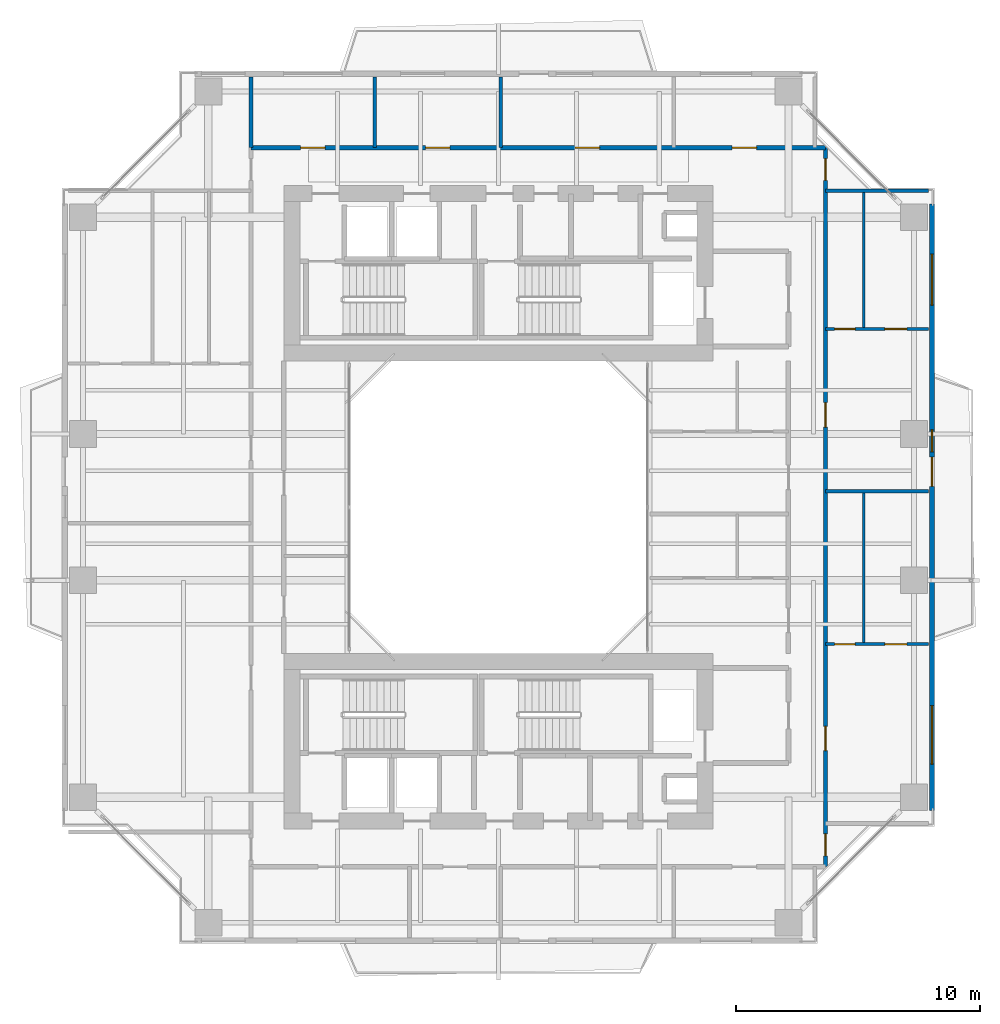
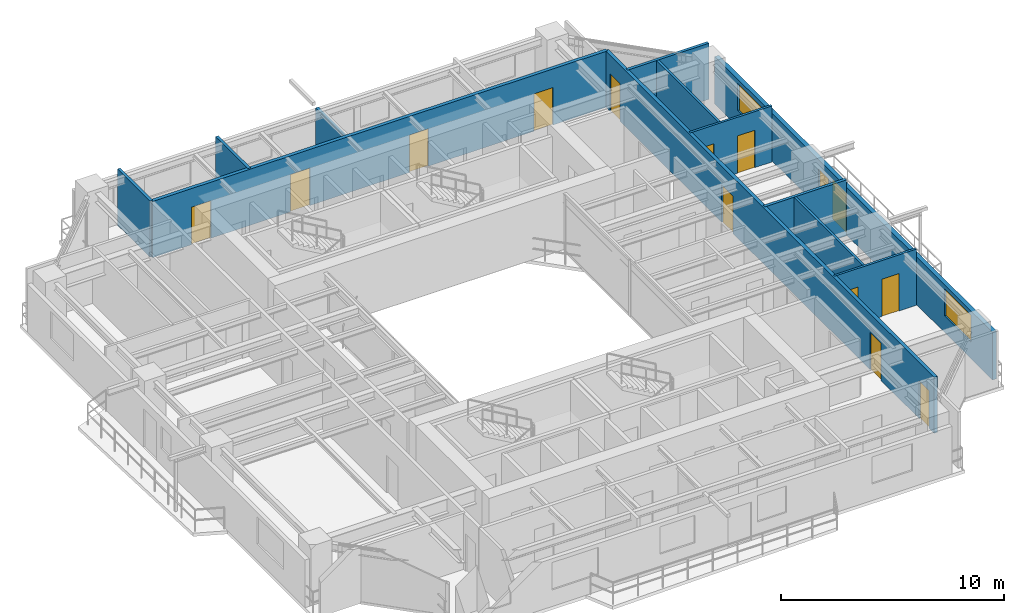
# One storey, part 13 of 17: 13 doors, 12 walls, 3 windows, 16 openings.
"""IFC4 building model written with IfcOpenShell, lengths in metres."""

from ifc_helpers import new_model, si_unit, direction, frame, frame_2d, origin, place, context, subcontext, project, spatial, rectangle, extrude, source, transform, mapped, material, layer, layer_set, type_object, element, fill, save


model = new_model("IFC4")

# Units and contexts
model_context = context("Model", 3, precision=1e-05, world=origin(), true_north=direction((0.0, 1.0)))
body_context = subcontext(model_context, "Body", "Model", "MODEL_VIEW")
ifc_project = project(units=[si_unit("LENGTHUNIT", "METRE"), si_unit("AREAUNIT", "SQUARE_METRE"), si_unit("VOLUMEUNIT", "CUBIC_METRE"), si_unit("PLANEANGLEUNIT", "RADIAN"), si_unit("MASSUNIT", "GRAM", prefix="KILO"), si_unit("THERMODYNAMICTEMPERATUREUNIT", "KELVIN"), si_unit("POWERUNIT", "WATT")], contexts=[model_context])

# Site, building, storey
site_placement = place(None, origin())
site = spatial("IfcSite", under=ifc_project, at=site_placement, CompositionType="ELEMENT")
building_placement = place(site_placement, origin())
building = spatial("IfcBuilding", under=site, at=building_placement, Name="Qiaomeng Ring Towers", CompositionType="ELEMENT")
storey_placement = place(building_placement, frame((0.0, 0.0, 119.75)))
storey = spatial("IfcBuildingStorey", under=building, at=storey_placement, Name="L34", CompositionType="ELEMENT", Elevation=119.75)

# Wall, openings, windows, door
ifc_material_1 = material(Name="Precast concrete C40", Category="concrete")
ifc_layer_1 = layer(ifc_material_1, 0.219970703125, Name="Precast concrete C40")
ifc_layer_set_1 = layer_set([ifc_layer_1], Name="Precast concrete C40")
wall_type_1 = type_object("IfcWallType", Name="ARC-WL-EW2", PredefinedType="STANDARD", material=ifc_layer_set_1)
wall_1_placement = place(storey_placement, frame((36.7900390625, 10.550048828125, 0.0), z_axis=(0.0, 0.0, 1.0), x_axis=(0.0, 1.0, 0.0)))
wall_1 = element("IfcWall", 1, at=wall_1_placement, inside=storey, type_object=wall_type_1, Name="L34 Tower 1 E Exterior Wall", PredefinedType="STANDARD", context=body_context, shape_type="SweptSolid", body=[
    extrude(rectangle(XDim=24.89990234375, YDim=0.219970703125, at=frame_2d((12.449951171875, 0.0))), origin(), (0.0, 0.0, 1.0), 2.610107421875),
])
opening_1_placement = place(wall_1_placement, frame((13.300048828125, 0.0, 0.0)))
opening_1 = element("IfcOpeningElement", 2, at=opening_1_placement, cuts=wall_1, Name="Opening BD1", PredefinedType="OPENING", context=body_context, shape_type="SweptSolid", body=[
    extrude(rectangle(XDim=1.199951171875, YDim=2.10009765625, at=frame_2d((0.60009765625, 1.050048828125))), frame((0.0, 0.119873046875, 0.0), z_axis=(0.0, -1.0, 0.0), x_axis=(1.0, 0.0, 0.0)), (0.0, 0.0, 1.0), 0.239990234375),
])
opening_2_placement = place(wall_1_placement, frame((1.912109375, 0.0, 0.89990234375)))
opening_2 = element("IfcOpeningElement", 3, at=opening_2_placement, cuts=wall_1, Name="Opening WN6", PredefinedType="OPENING", context=body_context, shape_type="SweptSolid", body=[
    extrude(rectangle(XDim=2.39990234375, YDim=1.47998046875, at=frame_2d((1.199951171875, 0.739990234375))), frame((0.0, 0.119873046875, 0.0), z_axis=(0.0, -1.0, 0.0), x_axis=(1.0, 0.0, 0.0)), (0.0, 0.0, 1.0), 0.239990234375),
])
opening_3_placement = place(wall_1_placement, frame((20.737060546875, 0.0, 0.89990234375)))
opening_3 = element("IfcOpeningElement", 4, at=opening_3_placement, cuts=wall_1, Name="Opening WN4", PredefinedType="OPENING", context=body_context, shape_type="SweptSolid", body=[
    extrude(rectangle(XDim=2.10009765625, YDim=1.47998046875, at=frame_2d((1.050048828125, 0.739990234375))), frame((0.0, 0.119873046875, 0.0), z_axis=(0.0, -1.0, 0.0), x_axis=(1.0, 0.0, 0.0)), (0.0, 0.0, 1.0), 0.239990234375),
])
opening_4_placement = place(wall_1_placement, frame((14.719970703125, 0.0, 0.89990234375)))
opening_4 = element("IfcOpeningElement", 5, at=opening_4_placement, cuts=wall_1, Name="Opening WN5", PredefinedType="OPENING", context=body_context, shape_type="SweptSolid", body=[
    extrude(rectangle(XDim=0.89990234375, YDim=1.199951171875, at=frame_2d((0.449951171875, 0.60009765625))), frame((0.0, 0.119873046875, 0.0), z_axis=(0.0, -1.0, 0.0), x_axis=(1.0, 0.0, 0.0)), (0.0, 0.0, 1.0), 0.239990234375),
])
ifc_material_2 = material(Name="Low-E dark-grey laminated double glazing", Category="glass")
window_type_1 = type_object("IfcWindowType", Name="ARC-WN-4", PartitioningType="TRIPLE_PANEL_VERTICAL", PredefinedType="WINDOW", material=ifc_material_2)
shared_shape_1 = source(origin(), body_context, "Body", "SweptSolid", [
    extrude(rectangle(XDim=2.10009765625, YDim=1.47998046875, at=frame_2d((1.050048828125, 0.739990234375))), frame((0.0, 0.030029296875, 0.0), z_axis=(0.0, -1.0, 0.0), x_axis=(1.0, 0.0, 0.0)), (0.0, 0.0, 1.0), 0.06005859375),
])
window_1_placement = place(opening_3_placement, origin())
window_1 = element("IfcWindow", 6, at=window_1_placement, inside=storey, type_object=window_type_1, Name="L34 Exterior Window WN4", OverallHeight=1.47998046875, OverallWidth=2.10009765625, PartitioningType="TRIPLE_PANEL_VERTICAL", PredefinedType="WINDOW", context=body_context, shape_type="MappedRepresentation", body=[
    mapped(shared_shape_1, transform((0.0, 0.0, 0.0), x_axis=(1.0, 0.0, 0.0), y_axis=(0.0, 1.0, 0.0), z_axis=(0.0, 0.0, 1.0), scale=1.0)),
])
fill(opening_3, window_1)
window_type_2 = type_object("IfcWindowType", Name="ARC-WN-6", PartitioningType="TRIPLE_PANEL_VERTICAL", PredefinedType="WINDOW", material=ifc_material_2)
shared_shape_2 = source(origin(), body_context, "Body", "SweptSolid", [
    extrude(rectangle(XDim=2.39990234375, YDim=1.47998046875, at=frame_2d((1.199951171875, 0.739990234375))), frame((0.0, 0.030029296875, 0.0), z_axis=(0.0, -1.0, 0.0), x_axis=(1.0, 0.0, 0.0)), (0.0, 0.0, 1.0), 0.06005859375),
])
window_2_placement = place(opening_2_placement, origin())
window_2 = element("IfcWindow", 7, at=window_2_placement, inside=storey, type_object=window_type_2, Name="L34 Exterior Window WN6", OverallHeight=1.47998046875, OverallWidth=2.39990234375, PartitioningType="TRIPLE_PANEL_VERTICAL", PredefinedType="WINDOW", context=body_context, shape_type="MappedRepresentation", body=[
    mapped(shared_shape_2, transform((0.0, 0.0, 0.0), x_axis=(1.0, 0.0, 0.0), y_axis=(0.0, 1.0, 0.0), z_axis=(0.0, 0.0, 1.0), scale=1.0)),
])
fill(opening_2, window_2)
door_type_1 = type_object("IfcDoorType", Name="ARC-DR-BD1", OperationType="NOTDEFINED", PredefinedType="DOOR", material=ifc_material_2)
shared_shape_3 = source(origin(), body_context, "Body", "SweptSolid", [
    extrude(rectangle(XDim=1.199951171875, YDim=2.10009765625, at=frame_2d((0.60009765625, 1.050048828125))), frame((0.0, 0.02490234375, 0.0), z_axis=(0.0, -1.0, 0.0), x_axis=(1.0, 0.0, 0.0)), (0.0, 0.0, 1.0), 0.050048828125),
])
door_1_placement = place(opening_1_placement, origin())
door_1 = element("IfcDoor", 8, at=door_1_placement, inside=storey, type_object=door_type_1, Name="L34 E Balcony Glazed Door", OperationType="SINGLE_SWING_LEFT", OverallHeight=2.10009765625, OverallWidth=1.199951171875, PredefinedType="DOOR", context=body_context, shape_type="MappedRepresentation", body=[
    mapped(shared_shape_3, transform((0.0, 0.0, 0.0), x_axis=(1.0, 0.0, 0.0), y_axis=(0.0, 1.0, 0.0), z_axis=(0.0, 0.0, 1.0), scale=1.0)),
])
fill(opening_1, door_1)
window_type_3 = type_object("IfcWindowType", Name="ARC-WN-5", PartitioningType="SINGLE_PANEL", PredefinedType="WINDOW", material=ifc_material_2)
shared_shape_4 = source(origin(), body_context, "Body", "SweptSolid", [
    extrude(rectangle(XDim=0.89990234375, YDim=1.199951171875, at=frame_2d((0.449951171875, 0.60009765625))), frame((0.0, 0.030029296875, 0.0), z_axis=(0.0, -1.0, 0.0), x_axis=(1.0, 0.0, 0.0)), (0.0, 0.0, 1.0), 0.06005859375),
])
window_3_placement = place(opening_4_placement, origin())
window_3 = element("IfcWindow", 9, at=window_3_placement, inside=storey, type_object=window_type_3, Name="L34 Exterior Window WN5", OverallHeight=1.199951171875, OverallWidth=0.89990234375, PartitioningType="SINGLE_PANEL", PredefinedType="WINDOW", context=body_context, shape_type="MappedRepresentation", body=[
    mapped(shared_shape_4, transform((0.0, 0.0, 0.0), x_axis=(1.0, 0.0, 0.0), y_axis=(0.0, 1.0, 0.0), z_axis=(0.0, 0.0, 1.0), scale=1.0)),
])
fill(opening_4, window_3)

# Wall, openings, doors
ifc_material_3 = material(Name="Autoclaved aerated concrete block", Category="concrete")
ifc_layer_2 = layer(ifc_material_3, 0.179931640625, Name="Autoclaved aerated concrete block")
ifc_layer_set_2 = layer_set([ifc_layer_2], Name="Autoclaved aerated concrete block")
wall_type_2 = type_object("IfcWallType", Name="ARC-WL-PW2", PredefinedType="PARTITIONING", material=ifc_layer_set_2)
wall_2_placement = place(storey_placement, frame((8.85009765625, 37.75, 0.0), z_axis=(0.0, 0.0, 1.0), x_axis=(1.0, 0.0, 0.0)))
wall_2 = element("IfcWall", 10, at=wall_2_placement, inside=storey, type_object=wall_type_2, Name="L34 Interior Wall PW2", PredefinedType="PARTITIONING", context=body_context, shape_type="SweptSolid", body=[
    extrude(rectangle(XDim=23.56982421875, YDim=0.179931640625, at=frame_2d((11.784912109375, 0.0))), origin(), (0.0, 0.0, 1.0), 3.070068359375),
])
opening_5_placement = place(wall_2_placement, frame((2.034912109375, 0.0, 0.0)))
opening_5 = element("IfcOpeningElement", 11, at=opening_5_placement, cuts=wall_2, Name="Opening FD4", PredefinedType="OPENING", context=body_context, shape_type="SweptSolid", body=[
    extrude(rectangle(XDim=1.0, YDim=2.050048828125, at=frame_2d((0.5, 1.02490234375))), frame((0.0, 0.099853515625, 0.0), z_axis=(0.0, -1.0, 0.0), x_axis=(1.0, 0.0, 0.0)), (0.0, 0.0, 1.0), 0.199951171875),
])
opening_6_placement = place(wall_2_placement, frame((7.159912109375, 0.0, 0.0)))
opening_6 = element("IfcOpeningElement", 12, at=opening_6_placement, cuts=wall_2, Name="Opening FD4", PredefinedType="OPENING", context=body_context, shape_type="SweptSolid", body=[
    extrude(rectangle(XDim=1.0, YDim=2.050048828125, at=frame_2d((0.5, 1.02490234375))), frame((0.0, 0.099853515625, 0.0), z_axis=(0.0, -1.0, 0.0), x_axis=(1.0, 0.0, 0.0)), (0.0, 0.0, 1.0), 0.199951171875),
])
opening_7_placement = place(wall_2_placement, frame((13.300048828125, 0.0, 0.0)))
opening_7 = element("IfcOpeningElement", 13, at=opening_7_placement, cuts=wall_2, Name="Opening FD4", PredefinedType="OPENING", context=body_context, shape_type="SweptSolid", body=[
    extrude(rectangle(XDim=1.0, YDim=2.050048828125, at=frame_2d((0.5, 1.02490234375))), frame((0.0, 0.099853515625, 0.0), z_axis=(0.0, -1.0, 0.0), x_axis=(1.0, 0.0, 0.0)), (0.0, 0.0, 1.0), 0.199951171875),
])
opening_8_placement = place(wall_2_placement, frame((19.739990234375, 0.0, 0.0)))
opening_8 = element("IfcOpeningElement", 14, at=opening_8_placement, cuts=wall_2, Name="Opening FD4", PredefinedType="OPENING", context=body_context, shape_type="SweptSolid", body=[
    extrude(rectangle(XDim=1.0, YDim=2.050048828125, at=frame_2d((0.5, 1.02490234375))), frame((0.0, 0.099853515625, 0.0), z_axis=(0.0, -1.0, 0.0), x_axis=(1.0, 0.0, 0.0)), (0.0, 0.0, 1.0), 0.199951171875),
])
ifc_material_4 = material(Name="Engineered fire-rated oak timber", Category="wood")
door_type_2 = type_object("IfcDoorType", Name="ARC-DR-FD4", OperationType="NOTDEFINED", PredefinedType="DOOR", material=ifc_material_4)
shared_shape_5 = source(origin(), body_context, "Body", "SweptSolid", [
    extrude(rectangle(XDim=1.0, YDim=2.050048828125, at=frame_2d((0.5, 1.02490234375))), frame((0.0, 0.02490234375, 0.0), z_axis=(0.0, -1.0, 0.0), x_axis=(1.0, 0.0, 0.0)), (0.0, 0.0, 1.0), 0.050048828125),
])
door_2_placement = place(opening_5_placement, origin())
door_2 = element("IfcDoor", 15, at=door_2_placement, inside=storey, type_object=door_type_2, Name="L34 Door FD4", OperationType="SINGLE_SWING_LEFT", OverallHeight=2.050048828125, OverallWidth=1.0, PredefinedType="DOOR", context=body_context, shape_type="MappedRepresentation", body=[
    mapped(shared_shape_5, transform((0.0, 0.0, 0.0), x_axis=(1.0, 0.0, 0.0), y_axis=(0.0, 1.0, 0.0), z_axis=(0.0, 0.0, 1.0), scale=1.0)),
])
fill(opening_5, door_2)
door_3_placement = place(opening_6_placement, origin())
door_3 = element("IfcDoor", 16, at=door_3_placement, inside=storey, type_object=door_type_2, Name="L34 Door FD4", OperationType="SINGLE_SWING_RIGHT", OverallHeight=2.050048828125, OverallWidth=1.0, PredefinedType="DOOR", context=body_context, shape_type="MappedRepresentation", body=[
    mapped(shared_shape_5, transform((0.0, 0.0, 0.0), x_axis=(1.0, 0.0, 0.0), y_axis=(0.0, 1.0, 0.0), z_axis=(0.0, 0.0, 1.0), scale=1.0)),
])
fill(opening_6, door_3)
door_4_placement = place(opening_7_placement, origin())
door_4 = element("IfcDoor", 17, at=door_4_placement, inside=storey, type_object=door_type_2, Name="L34 Door FD4", OperationType="SINGLE_SWING_LEFT", OverallHeight=2.050048828125, OverallWidth=1.0, PredefinedType="DOOR", context=body_context, shape_type="MappedRepresentation", body=[
    mapped(shared_shape_5, transform((0.0, 0.0, 0.0), x_axis=(1.0, 0.0, 0.0), y_axis=(0.0, 1.0, 0.0), z_axis=(0.0, 0.0, 1.0), scale=1.0)),
])
fill(opening_7, door_4)
door_5_placement = place(opening_8_placement, origin())
door_5 = element("IfcDoor", 18, at=door_5_placement, inside=storey, type_object=door_type_2, Name="L34 Door FD4", OperationType="SINGLE_SWING_RIGHT", OverallHeight=2.050048828125, OverallWidth=1.0, PredefinedType="DOOR", context=body_context, shape_type="MappedRepresentation", body=[
    mapped(shared_shape_5, transform((0.0, 0.0, 0.0), x_axis=(1.0, 0.0, 0.0), y_axis=(0.0, 1.0, 0.0), z_axis=(0.0, 0.0, 1.0), scale=1.0)),
])
fill(opening_8, door_5)

wall_3_placement = place(storey_placement, frame((32.419921875, 8.25, 0.0), z_axis=(0.0, 0.0, 1.0), x_axis=(0.0, 1.0, 0.0)))
wall_3 = element("IfcWall", 19, at=wall_3_placement, inside=storey, type_object=wall_type_2, Name="L34 Interior Wall PW2", PredefinedType="PARTITIONING", context=body_context, shape_type="SweptSolid", body=[
    extrude(rectangle(XDim=29.5, YDim=0.179931640625, at=frame_2d((14.75, 0.0))), origin(), (0.0, 0.0, 1.0), 3.070068359375),
])
opening_9_placement = place(wall_3_placement, frame((28.155029296875, 0.0, 0.0)))
opening_9 = element("IfcOpeningElement", 20, at=opening_9_placement, cuts=wall_3, Name="Opening ID1", PredefinedType="OPENING", context=body_context, shape_type="SweptSolid", body=[
    extrude(rectangle(XDim=0.89990234375, YDim=2.050048828125, at=frame_2d((0.449951171875, 1.02490234375))), frame((0.0, 0.099853515625, 0.0), z_axis=(0.0, -1.0, 0.0), x_axis=(1.0, 0.0, 0.0)), (0.0, 0.0, 1.0), 0.199951171875),
])
opening_10_placement = place(wall_3_placement, frame((0.445068359375, 0.0, 0.0)))
opening_10 = element("IfcOpeningElement", 21, at=opening_10_placement, cuts=wall_3, Name="Opening ID1", PredefinedType="OPENING", context=body_context, shape_type="SweptSolid", body=[
    extrude(rectangle(XDim=0.89990234375, YDim=2.050048828125, at=frame_2d((0.449951171875, 1.02490234375))), frame((0.0, 0.099853515625, 0.0), z_axis=(0.0, -1.0, 0.0), x_axis=(1.0, 0.0, 0.0)), (0.0, 0.0, 1.0), 0.199951171875),
])
opening_11_placement = place(wall_3_placement, frame((4.760009765625, 0.0, 0.0)))
opening_11 = element("IfcOpeningElement", 22, at=opening_11_placement, cuts=wall_3, Name="Opening FD4", PredefinedType="OPENING", context=body_context, shape_type="SweptSolid", body=[
    extrude(rectangle(XDim=1.0, YDim=2.050048828125, at=frame_2d((0.5, 1.02490234375))), frame((0.0, 0.099853515625, 0.0), z_axis=(0.0, -1.0, 0.0), x_axis=(1.0, 0.0, 0.0)), (0.0, 0.0, 1.0), 0.199951171875),
])
opening_12_placement = place(wall_3_placement, frame((18.0400390625, 0.0, 0.0)))
opening_12 = element("IfcOpeningElement", 23, at=opening_12_placement, cuts=wall_3, Name="Opening FD4", PredefinedType="OPENING", context=body_context, shape_type="SweptSolid", body=[
    extrude(rectangle(XDim=1.0, YDim=2.050048828125, at=frame_2d((0.5, 1.02490234375))), frame((0.0, 0.099853515625, 0.0), z_axis=(0.0, -1.0, 0.0), x_axis=(1.0, 0.0, 0.0)), (0.0, 0.0, 1.0), 0.199951171875),
])
door_6_placement = place(opening_11_placement, origin())
door_6 = element("IfcDoor", 24, at=door_6_placement, inside=storey, type_object=door_type_2, Name="L34 Door FD4", OperationType="SINGLE_SWING_RIGHT", OverallHeight=2.050048828125, OverallWidth=1.0, PredefinedType="DOOR", context=body_context, shape_type="MappedRepresentation", body=[
    mapped(shared_shape_5, transform((0.0, 0.0, 0.0), x_axis=(1.0, 0.0, 0.0), y_axis=(0.0, 1.0, 0.0), z_axis=(0.0, 0.0, 1.0), scale=1.0)),
])
fill(opening_11, door_6)
door_7_placement = place(opening_12_placement, origin())
door_7 = element("IfcDoor", 25, at=door_7_placement, inside=storey, type_object=door_type_2, Name="L34 Door FD4", OperationType="SINGLE_SWING_LEFT", OverallHeight=2.050048828125, OverallWidth=1.0, PredefinedType="DOOR", context=body_context, shape_type="MappedRepresentation", body=[
    mapped(shared_shape_5, transform((0.0, 0.0, 0.0), x_axis=(1.0, 0.0, 0.0), y_axis=(0.0, 1.0, 0.0), z_axis=(0.0, 0.0, 1.0), scale=1.0)),
])
fill(opening_12, door_7)
ifc_material_5 = material(Name="Engineered oak timber", Category="wood")
door_type_3 = type_object("IfcDoorType", Name="ARC-DR-ID1", OperationType="NOTDEFINED", PredefinedType="DOOR", material=ifc_material_5)
shared_shape_6 = source(origin(), body_context, "Body", "SweptSolid", [
    extrude(rectangle(XDim=0.89990234375, YDim=2.050048828125, at=frame_2d((0.449951171875, 1.02490234375))), frame((0.0, 0.02490234375, 0.0), z_axis=(0.0, -1.0, 0.0), x_axis=(1.0, 0.0, 0.0)), (0.0, 0.0, 1.0), 0.050048828125),
])
door_8_placement = place(opening_9_placement, origin())
door_8 = element("IfcDoor", 26, at=door_8_placement, inside=storey, type_object=door_type_3, Name="L34 Door ID1", OperationType="SINGLE_SWING_RIGHT", OverallHeight=2.050048828125, OverallWidth=0.89990234375, PredefinedType="DOOR", context=body_context, shape_type="MappedRepresentation", body=[
    mapped(shared_shape_6, transform((0.0, 0.0, 0.0), x_axis=(1.0, 0.0, 0.0), y_axis=(0.0, 1.0, 0.0), z_axis=(0.0, 0.0, 1.0), scale=1.0)),
])
fill(opening_9, door_8)
door_9_placement = place(opening_10_placement, origin())
door_9 = element("IfcDoor", 27, at=door_9_placement, inside=storey, type_object=door_type_3, Name="L34 Door ID1", OperationType="SINGLE_SWING_LEFT", OverallHeight=2.050048828125, OverallWidth=0.89990234375, PredefinedType="DOOR", context=body_context, shape_type="MappedRepresentation", body=[
    mapped(shared_shape_6, transform((0.0, 0.0, 0.0), x_axis=(1.0, 0.0, 0.0), y_axis=(0.0, 1.0, 0.0), z_axis=(0.0, 0.0, 1.0), scale=1.0)),
])
fill(opening_10, door_9)

# Walls
ifc_material_6 = material(Name="Gypsum fireboard steel-stud partition", Category="steel")
ifc_layer_3 = layer(ifc_material_6, 0.14990234375, Name="Gypsum fireboard steel-stud partition")
ifc_layer_set_3 = layer_set([ifc_layer_3], Name="Gypsum fireboard steel-stud partition")
wall_type_3 = type_object("IfcWallType", Name="ARC-WL-PW3", PredefinedType="PARTITIONING", material=ifc_layer_set_3)
wall_4_placement = place(storey_placement, frame((13.919921875, 37.75, 0.0), z_axis=(0.0, 0.0, 1.0), x_axis=(0.0, 1.0, 0.0)))
element("IfcWall", 28, at=wall_4_placement, inside=storey, type_object=wall_type_3, Name="L34 Interior Wall PW3", PredefinedType="PARTITIONING", context=body_context, shape_type="SweptSolid", body=[
    extrude(rectangle(XDim=2.89990234375, YDim=0.14990234375, at=frame_2d((1.449951171875, 0.0))), origin(), (0.0, 0.0, 1.0), 3.070068359375),
])
wall_5_placement = place(storey_placement, frame((19.10009765625, 37.75, 0.0), z_axis=(0.0, 0.0, 1.0), x_axis=(0.0, 1.0, 0.0)))
element("IfcWall", 29, at=wall_5_placement, inside=storey, type_object=wall_type_3, Name="L34 Interior Wall PW3", PredefinedType="PARTITIONING", context=body_context, shape_type="SweptSolid", body=[
    extrude(rectangle(XDim=2.89990234375, YDim=0.14990234375, at=frame_2d((1.449951171875, 0.0))), origin(), (0.0, 0.0, 1.0), 2.821044921875),
])
wall_6_placement = place(storey_placement, frame((8.85009765625, 37.75, 0.0), z_axis=(0.0, 0.0, 1.0), x_axis=(0.0, 1.0, 0.0)))
element("IfcWall", 30, at=wall_6_placement, inside=storey, type_object=wall_type_3, Name="L34 Interior Wall PW3", PredefinedType="PARTITIONING", context=body_context, shape_type="SweptSolid", body=[
    extrude(rectangle(XDim=2.89990234375, YDim=0.14990234375, at=frame_2d((1.449951171875, 0.0))), origin(), (0.0, 0.0, 1.0), 3.070068359375),
])
for number, where, z_axis, x_axis, name in (
    (31, (32.419921875, 35.97998046875, 0.0), (0.0, 0.0, 1.0), (1.0, 0.0, 0.0), "L34 Interior Wall PW3"),
    (32, (32.419921875, 23.64990234375, 0.0), (0.0, 0.0, 1.0), (1.0, 0.0, 0.0), "L34 Interior Wall PW3"),
):
    element("IfcWall", number, at=place(storey_placement, frame(where, z_axis=z_axis, x_axis=x_axis)), inside=storey, type_object=wall_type_3, Name=name, PredefinedType="PARTITIONING", context=body_context, shape_type="SweptSolid", body=[
        extrude(rectangle(XDim=4.22998046875, YDim=0.14990234375, at=frame_2d((2.114990234375, 0.0))), origin(), (0.0, 0.0, 1.0), 3.070068359375),
    ])

# Wall, openings, doors
ifc_material_7 = material(Name="Moisture-resistant gypsum steel-stud partition", Category="steel")
ifc_layer_4 = layer(ifc_material_7, 0.1201171875, Name="Moisture-resistant gypsum steel-stud partition")
ifc_layer_set_4 = layer_set([ifc_layer_4], Name="Moisture-resistant gypsum steel-stud partition")
wall_type_4 = type_object("IfcWallType", Name="ARC-WL-PW4", PredefinedType="PLUMBINGWALL", material=ifc_layer_set_4)
wall_7_placement = place(storey_placement, frame((32.419921875, 17.3798828125, 0.0), z_axis=(0.0, 0.0, 1.0), x_axis=(1.0, 0.0, 0.0)))
wall_7 = element("IfcWall", 33, at=wall_7_placement, inside=storey, type_object=wall_type_4, Name="L34 Interior Wall PW4", PredefinedType="PLUMBINGWALL", context=body_context, shape_type="SweptSolid", body=[
    extrude(rectangle(XDim=4.22998046875, YDim=0.1201171875, at=frame_2d((2.114990234375, 0.0))), origin(), (0.0, 0.0, 1.0), 3.070068359375),
])
opening_13_placement = place(wall_7_placement, frame((0.3701171875, 0.0, 0.0)))
opening_13 = element("IfcOpeningElement", 34, at=opening_13_placement, cuts=wall_7, Name="Opening ID2", PredefinedType="OPENING", context=body_context, shape_type="SweptSolid", body=[
    extrude(rectangle(XDim=0.85009765625, YDim=2.050048828125, at=frame_2d((0.425048828125, 1.02490234375))), frame((0.0, 0.070068359375, 0.0), z_axis=(0.0, -1.0, 0.0), x_axis=(1.0, 0.0, 0.0)), (0.0, 0.0, 1.0), 0.14013671875),
])
opening_14_placement = place(wall_7_placement, frame((2.43994140625, 0.0, 0.0)))
opening_14 = element("IfcOpeningElement", 35, at=opening_14_placement, cuts=wall_7, Name="Opening ID1", PredefinedType="OPENING", context=body_context, shape_type="SweptSolid", body=[
    extrude(rectangle(XDim=0.89990234375, YDim=2.050048828125, at=frame_2d((0.449951171875, 1.02490234375))), frame((0.0, 0.070068359375, 0.0), z_axis=(0.0, -1.0, 0.0), x_axis=(1.0, 0.0, 0.0)), (0.0, 0.0, 1.0), 0.14013671875),
])
ifc_material_8 = material(Name="Moisture-resistant engineered timber", Category="wood")
door_type_4 = type_object("IfcDoorType", Name="ARC-DR-ID2", OperationType="NOTDEFINED", PredefinedType="DOOR", material=ifc_material_8)
shared_shape_7 = source(origin(), body_context, "Body", "SweptSolid", [
    extrude(rectangle(XDim=0.85009765625, YDim=2.050048828125, at=frame_2d((0.425048828125, 1.02490234375))), frame((0.0, 0.02490234375, 0.0), z_axis=(0.0, -1.0, 0.0), x_axis=(1.0, 0.0, 0.0)), (0.0, 0.0, 1.0), 0.050048828125),
])
door_10_placement = place(opening_13_placement, origin())
door_10 = element("IfcDoor", 36, at=door_10_placement, inside=storey, type_object=door_type_4, Name="L34 Door ID2", OperationType="SINGLE_SWING_RIGHT", OverallHeight=2.050048828125, OverallWidth=0.85009765625, PredefinedType="DOOR", context=body_context, shape_type="MappedRepresentation", body=[
    mapped(shared_shape_7, transform((0.0, 0.0, 0.0), x_axis=(1.0, 0.0, 0.0), y_axis=(0.0, 1.0, 0.0), z_axis=(0.0, 0.0, 1.0), scale=1.0)),
])
fill(opening_13, door_10)
door_11_placement = place(opening_14_placement, origin())
door_11 = element("IfcDoor", 37, at=door_11_placement, inside=storey, type_object=door_type_3, Name="L34 Door ID1", OperationType="SINGLE_SWING_LEFT", OverallHeight=2.050048828125, OverallWidth=0.89990234375, PredefinedType="DOOR", context=body_context, shape_type="MappedRepresentation", body=[
    mapped(shared_shape_6, transform((0.0, 0.0, 0.0), x_axis=(1.0, 0.0, 0.0), y_axis=(0.0, 1.0, 0.0), z_axis=(0.0, 0.0, 1.0), scale=1.0)),
])
fill(opening_14, door_11)

# Wall
wall_8_placement = place(storey_placement, frame((33.989990234375, 17.3798828125, 0.0), z_axis=(0.0, 0.0, 1.0), x_axis=(0.0, 1.0, 0.0)))
element("IfcWall", 38, at=wall_8_placement, inside=storey, type_object=wall_type_4, Name="L34 Interior Wall PW4", PredefinedType="PLUMBINGWALL", context=body_context, shape_type="SweptSolid", body=[
    extrude(rectangle(XDim=6.27001953125, YDim=0.1201171875, at=frame_2d((3.135009765625, 0.0))), origin(), (0.0, 0.0, 1.0), 3.070068359375),
])

# Wall, openings, doors
wall_9_placement = place(storey_placement, frame((32.419921875, 30.31005859375, 0.0), z_axis=(0.0, 0.0, 1.0), x_axis=(1.0, 0.0, 0.0)))
wall_9 = element("IfcWall", 39, at=wall_9_placement, inside=storey, type_object=wall_type_4, Name="L34 Interior Wall PW4", PredefinedType="PLUMBINGWALL", context=body_context, shape_type="SweptSolid", body=[
    extrude(rectangle(XDim=4.22998046875, YDim=0.1201171875, at=frame_2d((2.114990234375, 0.0))), origin(), (0.0, 0.0, 1.0), 3.070068359375),
])
opening_15_placement = place(wall_9_placement, frame((0.3701171875, 0.0, 0.0)))
opening_15 = element("IfcOpeningElement", 40, at=opening_15_placement, cuts=wall_9, Name="Opening ID2", PredefinedType="OPENING", context=body_context, shape_type="SweptSolid", body=[
    extrude(rectangle(XDim=0.85009765625, YDim=2.050048828125, at=frame_2d((0.425048828125, 1.02490234375))), frame((0.0, 0.070068359375, 0.0), z_axis=(0.0, -1.0, 0.0), x_axis=(1.0, 0.0, 0.0)), (0.0, 0.0, 1.0), 0.14013671875),
])
opening_16_placement = place(wall_9_placement, frame((2.43994140625, 0.0, 0.0)))
opening_16 = element("IfcOpeningElement", 41, at=opening_16_placement, cuts=wall_9, Name="Opening ID1", PredefinedType="OPENING", context=body_context, shape_type="SweptSolid", body=[
    extrude(rectangle(XDim=0.89990234375, YDim=2.050048828125, at=frame_2d((0.449951171875, 1.02490234375))), frame((0.0, 0.070068359375, 0.0), z_axis=(0.0, -1.0, 0.0), x_axis=(1.0, 0.0, 0.0)), (0.0, 0.0, 1.0), 0.14013671875),
])
door_12_placement = place(opening_15_placement, origin())
door_12 = element("IfcDoor", 42, at=door_12_placement, inside=storey, type_object=door_type_4, Name="L34 Door ID2", OperationType="SINGLE_SWING_LEFT", OverallHeight=2.050048828125, OverallWidth=0.85009765625, PredefinedType="DOOR", context=body_context, shape_type="MappedRepresentation", body=[
    mapped(shared_shape_7, transform((0.0, 0.0, 0.0), x_axis=(1.0, 0.0, 0.0), y_axis=(0.0, 1.0, 0.0), z_axis=(0.0, 0.0, 1.0), scale=1.0)),
])
fill(opening_15, door_12)
door_13_placement = place(opening_16_placement, origin())
door_13 = element("IfcDoor", 43, at=door_13_placement, inside=storey, type_object=door_type_3, Name="L34 Door ID1", OperationType="SINGLE_SWING_RIGHT", OverallHeight=2.050048828125, OverallWidth=0.89990234375, PredefinedType="DOOR", context=body_context, shape_type="MappedRepresentation", body=[
    mapped(shared_shape_6, transform((0.0, 0.0, 0.0), x_axis=(1.0, 0.0, 0.0), y_axis=(0.0, 1.0, 0.0), z_axis=(0.0, 0.0, 1.0), scale=1.0)),
])
fill(opening_16, door_13)

# Wall
wall_10_placement = place(storey_placement, frame((33.989990234375, 30.31005859375, 0.0), z_axis=(0.0, 0.0, 1.0), x_axis=(0.0, 1.0, 0.0)))
element("IfcWall", 44, at=wall_10_placement, inside=storey, type_object=wall_type_4, Name="L34 Interior Wall PW4", PredefinedType="PLUMBINGWALL", context=body_context, shape_type="SweptSolid", body=[
    extrude(rectangle(XDim=5.669921875, YDim=0.1201171875, at=frame_2d((2.8349609375, 0.0))), origin(), (0.0, 0.0, 1.0), 3.070068359375),
])

save(model, "model.ifc")
